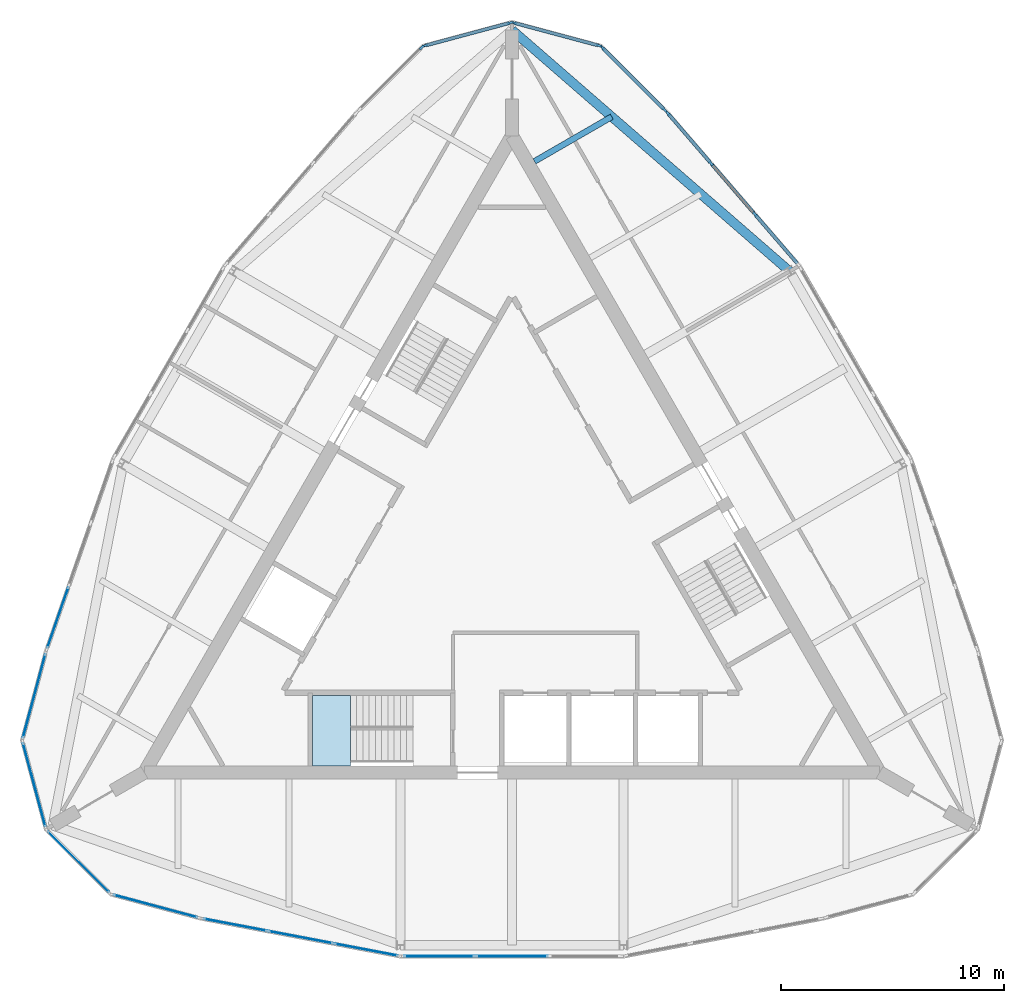
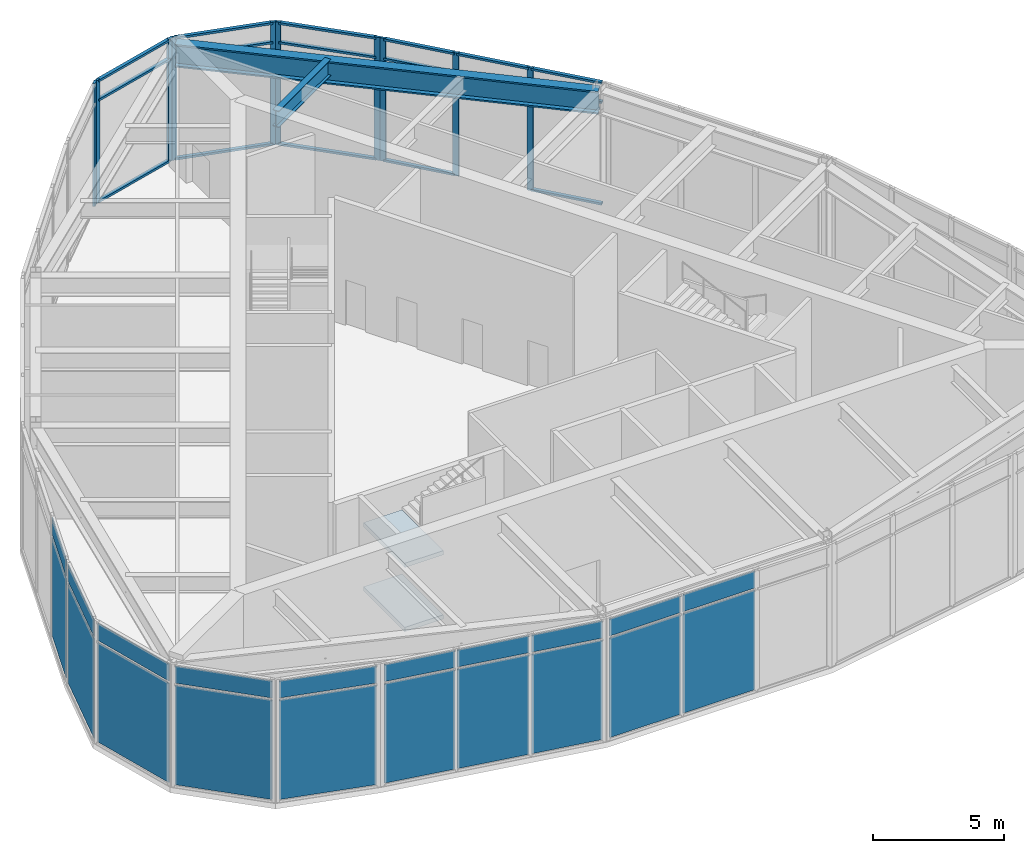
# One storey, part 4 of 9: 26 members, 20 plates, 2 beams, 2 slabs, 13 elements without a shape of their own.
"""IFC4 building model written with IfcOpenShell, lengths in metres."""

import ifcopenshell
import ifcopenshell.guid

model = None  # the IFC model being written
_history = None  # IfcOwnerHistory: only IFC2X3 demands one
_inside = {}  # id of a spatial element -> (the spatial element, [elements in it])
_under = {}  # id of a project, library or spatial element -> (it, [spatial elements below it])
_declared = {}  # id of a project -> (the project, [libraries it declares])
_typed = {}  # id of a type object -> (the type object, [elements of that type])
_made_of = {}  # id of a material, layer set ... -> (it, [elements and type objects made of it])


def new_model(schema):
    """Start an empty IFC model of exactly this schema.

    Asked for "IFC4X3", IfcOpenShell would pick the latest addendum, in which some entities
    have other attributes; the version numbers below select the first issue.
    IFC2X3 requires an IfcOwnerHistory on every rooted entity: one is made here for all.
    """
    global model, _history
    if schema == "IFC4X3":
        model = ifcopenshell.file(schema_version=(4, 3, 0, 0))
    else:
        model = ifcopenshell.file(schema=schema)
    _inside.clear()
    _under.clear()
    _declared.clear()
    _typed.clear()
    _made_of.clear()
    _history = None
    if model.schema == "IFC2X3":
        org = make("IfcOrganization", Name="unknown")
        user = make(
            "IfcPersonAndOrganization",
            ThePerson=make("IfcPerson", FamilyName="unknown"),
            TheOrganization=org,
        )
        app = make(
            "IfcApplication",
            ApplicationDeveloper=org,
            Version="unknown",
            ApplicationFullName="unknown",
            ApplicationIdentifier="unknown",
        )
        _history = make(
            "IfcOwnerHistory",
            OwningUser=user,
            OwningApplication=app,
            ChangeAction="ADDED",
            CreationDate=0,
        )
    return model


def make(cls, **values):
    """One entity of the class cls with the attributes given. An attribute that is None is left unset."""
    return model.create_entity(
        cls, **{name: value for name, value in values.items() if value is not None}
    )


def rooted(cls, **values):
    """An entity with a GlobalId (a new one), such as an element, a storey or a relation."""
    return make(cls, GlobalId=ifcopenshell.guid.new(), OwnerHistory=_history, **values)


def si_unit(unit_type, name, prefix=None):
    """IfcSIUnit, for example si_unit("LENGTHUNIT", "METRE", prefix="MILLI")."""
    return make("IfcSIUnit", UnitType=unit_type, Prefix=prefix, Name=name)


def assignment(units):
    """IfcUnitAssignment: the units of a project."""
    return None if units is None else make("IfcUnitAssignment", Units=units)


def point(xyz):
    """IfcCartesianPoint."""
    return None if xyz is None else make("IfcCartesianPoint", Coordinates=xyz)


def direction(xyz):
    """IfcDirection."""
    return None if xyz is None else make("IfcDirection", DirectionRatios=xyz)


def frame(location, z_axis=None, x_axis=None):
    """IfcAxis2Placement3D, a coordinate frame: its origin and axes. An axis left out is left unset."""
    return make(
        "IfcAxis2Placement3D",
        Location=point(location),
        Axis=direction(z_axis),
        RefDirection=direction(x_axis),
    )


def frame_2d(location, x_axis=None):
    """IfcAxis2Placement2D, a coordinate frame in the plane: its origin and x axis."""
    return make(
        "IfcAxis2Placement2D", Location=point(location), RefDirection=direction(x_axis)
    )


def origin():
    """The frame at (0, 0, 0) with its axes left unset."""
    return frame((0.0, 0.0, 0.0))


def origin_2d():
    """The frame at (0, 0) in the plane with its x axis left unset."""
    return frame_2d((0.0, 0.0))


def place(relative_to, where):
    """IfcLocalPlacement: puts the frame where relative to a parent placement (None: the world)."""
    return make(
        "IfcLocalPlacement", PlacementRelTo=relative_to, RelativePlacement=where
    )


def context(
    kind, dimensions, precision=None, world=None, true_north=None, identifier=None
):
    """IfcGeometricRepresentationContext, for example the 3D "Model" context."""
    return make(
        "IfcGeometricRepresentationContext",
        ContextIdentifier=identifier,
        ContextType=kind,
        CoordinateSpaceDimension=dimensions,
        Precision=precision,
        WorldCoordinateSystem=world,
        TrueNorth=true_north,
    )


def subcontext(parent, identifier, kind, view, scale=None):
    """IfcGeometricRepresentationSubContext, for example "Body" below "Model"."""
    return make(
        "IfcGeometricRepresentationSubContext",
        ContextIdentifier=identifier,
        ContextType=kind,
        ParentContext=parent,
        TargetScale=scale,
        TargetView=view,
    )


def project(units=None, contexts=None):
    """IfcProject with its units and contexts."""
    return rooted(
        "IfcProject",
        Name="project",
        RepresentationContexts=contexts,
        UnitsInContext=assignment(units),
    )


def spatial(cls, under=None, at=None, **own):
    """A site, building, storey or space (cls), placed at a placement, below another one or the project."""
    s = rooted(cls, ObjectPlacement=at, **own)
    if under is not None:
        _under.setdefault(under.id(), (under, []))[1].append(s)
    return s


def polyline(points):
    """IfcPolyline through the points."""
    return make("IfcPolyline", Points=[point(p) for p in points])


def profile(cls, at=None, kind="AREA", **sizes):
    """A parametric profile (cls). Its sizes go by their IFC names, for example OverallWidth=200.0."""
    return make(cls, ProfileType=kind, Position=at, **sizes)


def rectangle(**sizes):
    """IfcRectangleProfileDef."""
    return profile("IfcRectangleProfileDef", **sizes)


def i_section(**sizes):
    """IfcIShapeProfileDef."""
    return profile("IfcIShapeProfileDef", **sizes)


def outline(outer, holes=None, kind="AREA"):
    """IfcArbitraryClosedProfileDef: a profile drawn as a closed curve; with holes, ...WithVoids."""
    if holes is None:
        return make("IfcArbitraryClosedProfileDef", ProfileType=kind, OuterCurve=outer)
    return make(
        "IfcArbitraryProfileDefWithVoids",
        ProfileType=kind,
        OuterCurve=outer,
        InnerCurves=holes,
    )


def extrude(swept, where, along, depth):
    """IfcExtrudedAreaSolid: the profile swept, set in the frame where, extruded along a direction by depth."""
    return make(
        "IfcExtrudedAreaSolid",
        SweptArea=swept,
        Position=where,
        ExtrudedDirection=direction(along),
        Depth=depth,
    )


def shape(context_of_items, identifier, shape_type, items):
    """IfcShapeRepresentation: the items that make up one representation, for example the "Body"."""
    return make(
        "IfcShapeRepresentation",
        ContextOfItems=context_of_items,
        RepresentationIdentifier=identifier,
        RepresentationType=shape_type,
        Items=items,
    )


def material(Name=None, Category=None):
    """IfcMaterial."""
    return make("IfcMaterial", Name=Name, Category=Category)


def layer(
    of_material, thickness, ventilated=None, Name=None, Category=None, Priority=None
):
    """IfcMaterialLayer: one layer of a wall or slab, of a material (None: an air gap)."""
    return make(
        "IfcMaterialLayer",
        Material=of_material,
        LayerThickness=thickness,
        IsVentilated=ventilated,
        Name=Name,
        Category=Category,
        Priority=Priority,
    )


def layer_set(layers, Name=None):
    """IfcMaterialLayerSet."""
    return make("IfcMaterialLayerSet", MaterialLayers=layers, LayerSetName=Name)


def material_profile(
    of_material, cross_section, Name=None, Category=None, Priority=None
):
    """IfcMaterialProfile: a cross section and its material."""
    return make(
        "IfcMaterialProfile",
        Name=Name,
        Material=of_material,
        Profile=cross_section,
        Priority=Priority,
        Category=Category,
    )


def profile_set(profiles, Name=None, composite=None):
    """IfcMaterialProfileSet."""
    return make(
        "IfcMaterialProfileSet",
        Name=Name,
        MaterialProfiles=profiles,
        CompositeProfile=composite,
    )


def made_of(thing, what):
    """Note that an element or type object is made of a material, layer set ...; save() writes the relation."""
    if what is not None:
        _made_of.setdefault(what.id(), (what, []))[1].append(thing)
    return thing


def type_object(cls, material=None, **own):
    """A type object (cls), such as IfcWallType, which elements share."""
    return made_of(rooted(cls, **own), material)


def element(
    cls,
    number,
    at=None,
    inside=None,
    cuts=None,
    type_object=None,
    material=None,
    context=None,
    identifier="Body",
    shape_type=None,
    held_by="IfcProductDefinitionShape",
    body=None,
    shapes=None,
    **own,
):
    """One element of the class cls, such as IfcWall. Its Tag is "e" and its number.

    at: its placement. inside: the storey or other place that contains it. cuts: it is an
    opening in that element (IfcRelVoidsElement). A single representation is given by context,
    identifier, shape_type and body (its items); several are given by shapes. held_by: the class
    of the entity that holds the representations. save() writes the other relations.
    """
    e = rooted(cls, Tag="e%d" % number, ObjectPlacement=at, **own)
    if body is not None:
        shapes = [shape(context, identifier, shape_type, body)]
    if shapes is not None:
        e.Representation = make(held_by, Representations=shapes)
    if inside is not None:
        _inside.setdefault(inside.id(), (inside, []))[1].append(e)
    if cuts is not None:
        rooted(
            "IfcRelVoidsElement", RelatingBuildingElement=cuts, RelatedOpeningElement=e
        )
    if type_object is not None:
        _typed.setdefault(type_object.id(), (type_object, []))[1].append(e)
    return made_of(e, material)


def aggregate(whole, parts):
    """IfcRelAggregates: a whole, such as a stair, and the parts it consists of."""
    return rooted("IfcRelAggregates", RelatingObject=whole, RelatedObjects=parts)


def save(model, path):
    """Write the relations noted so far, then the file.

    IfcRelAggregates (storeys below a building ...), IfcRelContainedInSpatialStructure (elements
    in a storey), IfcRelDefinesByType, IfcRelAssociatesMaterial and IfcRelDeclares: one each for
    every whole, place, type object, material and project.
    """
    for whole, parts in _under.values():
        aggregate(whole, parts)
    for where, things in _inside.values():
        rooted(
            "IfcRelContainedInSpatialStructure",
            RelatedElements=things,
            RelatingStructure=where,
        )
    for kind, things in _typed.values():
        rooted("IfcRelDefinesByType", RelatedObjects=things, RelatingType=kind)
    for what, things in _made_of.values():
        rooted("IfcRelAssociatesMaterial", RelatedObjects=things, RelatingMaterial=what)
    for by, libraries in _declared.values():
        rooted("IfcRelDeclares", RelatingContext=by, RelatedDefinitions=libraries)
    model.write(path)


model = new_model("IFC4")

# Units and contexts
model_context = context("Model", 3, precision=1e-05, world=origin(), true_north=direction((0.0, 1.0)))
body_context = subcontext(model_context, "Body", "Model", "MODEL_VIEW")
ifc_project = project(units=[si_unit("LENGTHUNIT", "METRE"), si_unit("AREAUNIT", "SQUARE_METRE"), si_unit("VOLUMEUNIT", "CUBIC_METRE"), si_unit("PLANEANGLEUNIT", "RADIAN"), si_unit("MASSUNIT", "GRAM", prefix="KILO")], contexts=[model_context])

# Site, building, storey
site_placement = place(None, origin())
site = spatial("IfcSite", under=ifc_project, at=site_placement, CompositionType="ELEMENT")
building_placement = place(site_placement, origin())
building = spatial("IfcBuilding", under=site, at=building_placement, Name="Trikona Tower", CompositionType="ELEMENT")
storey_placement = place(building_placement, frame((0.0, 0.0, 286.800048828125)))
storey = spatial("IfcBuildingStorey", under=building, at=storey_placement, Name="L75", CompositionType="ELEMENT", Elevation=286.800048828125)

# Curtain wall, members
ifc_material_1 = material(Name="Aluminium curtain wall system", Category="aluminium")
curtain_wall_type = type_object("IfcCurtainWallType", Name="Curtain wall OB", PredefinedType="NOTDEFINED", material=ifc_material_1)
curtain_wall_1_placement = place(storey_placement, origin())
curtain_wall_1 = element("IfcCurtainWall", 1, at=curtain_wall_1_placement, inside=storey, type_object=curtain_wall_type, Name="Curtain wall OB L75", PredefinedType="NOTDEFINED")
ifc_material_2 = material(Name="Aluminium mullion, pale anodised", Category="aluminium")
ifc_material_profile_1 = material_profile(ifc_material_2, rectangle(XDim=0.10009765625, YDim=0.25, at=origin_2d()), Name="MUL-OB")
ifc_profile_set_1 = profile_set([ifc_material_profile_1], Name="Aluminium mullion, pale anodised")
member_type_1 = type_object("IfcMemberType", Name="Mullion OB 100x250", PredefinedType="MULLION", material=ifc_profile_set_1)
member_1_placement = place(storey_placement, frame((10.8984375, 15.531005859375, 0.0), z_axis=(0.0, 0.0, 1.0), x_axis=(-0.757475219973, -0.652863914707, 0.0)))
member_1 = element("IfcMember", 2, at=member_1_placement, type_object=member_type_1, Name="CW-OB mullion 2", PredefinedType="MULLION", context=body_context, shape_type="SweptSolid", body=[
    extrude(rectangle(XDim=0.10009765625, YDim=0.25, at=origin_2d()), origin(), (0.0, 0.0, 1.0), 5.75),
])
member_2_placement = place(storey_placement, frame((8.930908203125, 17.813720703125, 0.0), z_axis=(0.0, 0.0, 1.0), x_axis=(-0.757475219973, -0.652863914707, 0.0)))
member_2 = element("IfcMember", 3, at=member_2_placement, type_object=member_type_1, Name="CW-OB mullion 3", PredefinedType="MULLION", context=body_context, shape_type="SweptSolid", body=[
    extrude(rectangle(XDim=0.10009765625, YDim=0.25, at=origin_2d()), origin(), (0.0, 0.0, 1.0), 5.75),
])
member_3_placement = place(storey_placement, frame((6.99609375, 20.058837890625, 0.0), z_axis=(0.0, 0.0, 1.0), x_axis=(-0.757475219973, -0.652863914707, 0.0)))
member_3 = element("IfcMember", 4, at=member_3_placement, type_object=member_type_1, Name="CW-OB mullion 4", PredefinedType="MULLION", context=body_context, shape_type="SweptSolid", body=[
    extrude(rectangle(XDim=0.10009765625, YDim=0.25, at=origin_2d()), origin(), (0.0, 0.0, 1.0), 5.75),
])

curtain_wall_2_placement = place(storey_placement, origin())
curtain_wall_2 = element("IfcCurtainWall", 5, at=curtain_wall_2_placement, inside=storey, type_object=curtain_wall_type, Name="Curtain wall OB L75", PredefinedType="NOTDEFINED")
member_4_placement = place(storey_placement, frame((6.8515625, 20.21435546875, 0.0), z_axis=(0.0, 0.0, 1.0), x_axis=(-0.707106781187, -0.707106781187, 0.0)))
member_4 = element("IfcMember", 6, at=member_4_placement, type_object=member_type_1, Name="CW-OB mullion 1", PredefinedType="MULLION", context=body_context, shape_type="SweptSolid", body=[
    extrude(rectangle(XDim=0.10009765625, YDim=0.25, at=origin_2d()), origin(), (0.0, 0.0, 1.0), 5.75),
])
member_5_placement = place(storey_placement, frame((4.048583984375, 23.017333984375, 0.0), z_axis=(0.0, 0.0, 1.0), x_axis=(-0.707106781187, -0.707106781187, 0.0)))
member_5 = element("IfcMember", 7, at=member_5_placement, type_object=member_type_1, Name="CW-OB mullion 2", PredefinedType="MULLION", context=body_context, shape_type="SweptSolid", body=[
    extrude(rectangle(XDim=0.10009765625, YDim=0.25, at=origin_2d()), origin(), (0.0, 0.0, 1.0), 5.75),
])

curtain_wall_3_placement = place(storey_placement, origin())
curtain_wall_3 = element("IfcCurtainWall", 8, at=curtain_wall_3_placement, inside=storey, type_object=curtain_wall_type, Name="Curtain wall OB L75", PredefinedType="NOTDEFINED")
member_6_placement = place(storey_placement, frame((3.909423828125, 23.09765625, 0.0), z_axis=(0.0, 0.0, 1.0), x_axis=(-0.258827918204, -0.965923448705, 0.0)))
member_6 = element("IfcMember", 9, at=member_6_placement, type_object=member_type_1, Name="CW-OB mullion 1", PredefinedType="MULLION", context=body_context, shape_type="SweptSolid", body=[
    extrude(rectangle(XDim=0.10009765625, YDim=0.25, at=origin_2d()), origin(), (0.0, 0.0, 1.0), 5.75),
])
member_7_placement = place(storey_placement, frame((0.080322265625, 24.123779296875, 0.0), z_axis=(0.0, 0.0, 1.0), x_axis=(-0.258827918204, -0.965923448705, 0.0)))
member_7 = element("IfcMember", 10, at=member_7_placement, type_object=member_type_1, Name="CW-OB mullion 2", PredefinedType="MULLION", context=body_context, shape_type="SweptSolid", body=[
    extrude(rectangle(XDim=0.10009765625, YDim=0.25, at=origin_2d()), origin(), (0.0, 0.0, 1.0), 5.75),
])

curtain_wall_4_placement = place(storey_placement, origin())
curtain_wall_4 = element("IfcCurtainWall", 11, at=curtain_wall_4_placement, inside=storey, type_object=curtain_wall_type, Name="Curtain wall OB L75", PredefinedType="NOTDEFINED")
member_8_placement = place(storey_placement, frame((-0.080322265625, 24.123779296875, 0.0), z_axis=(0.0, 0.0, 1.0), x_axis=(0.258827918204, -0.965923448705, 0.0)))
member_8 = element("IfcMember", 12, at=member_8_placement, type_object=member_type_1, Name="CW-OB mullion 1", PredefinedType="MULLION", context=body_context, shape_type="SweptSolid", body=[
    extrude(rectangle(XDim=0.10009765625, YDim=0.25, at=origin_2d()), origin(), (0.0, 0.0, 1.0), 5.75),
])
member_9_placement = place(storey_placement, frame((-3.909423828125, 23.09765625, 0.0), z_axis=(0.0, 0.0, 1.0), x_axis=(0.258827918204, -0.965923448705, 0.0)))
member_9 = element("IfcMember", 13, at=member_9_placement, type_object=member_type_1, Name="CW-OB mullion 2", PredefinedType="MULLION", context=body_context, shape_type="SweptSolid", body=[
    extrude(rectangle(XDim=0.10009765625, YDim=0.25, at=origin_2d()), origin(), (0.0, 0.0, 1.0), 5.75),
])

# Curtain wall, member
curtain_wall_5_placement = place(storey_placement, origin())
curtain_wall_5 = element("IfcCurtainWall", 14, at=curtain_wall_5_placement, inside=storey, type_object=curtain_wall_type, Name="Curtain wall OB L75", PredefinedType="NOTDEFINED")
member_10_placement = place(storey_placement, frame((-4.048583984375, 23.017333984375, 0.0), z_axis=(0.0, 0.0, 1.0), x_axis=(0.707106781187, -0.707106781187, 0.0)))
member_10 = element("IfcMember", 15, at=member_10_placement, type_object=member_type_1, Name="CW-OB mullion 1", PredefinedType="MULLION", context=body_context, shape_type="SweptSolid", body=[
    extrude(rectangle(XDim=0.10009765625, YDim=0.25, at=origin_2d()), origin(), (0.0, 0.0, 1.0), 5.75),
])
aggregate(curtain_wall_5, [member_10])

# Beams
ifc_material_3 = material(Name="Steel ASTM A992 Grade 50", Category="steel")
ifc_material_profile_2 = material_profile(ifc_material_3, i_section(OverallWidth=0.2666015625, OverallDepth=0.76953125, WebThickness=0.015625, FlangeThickness=0.025390625, at=origin_2d()), Name="W30X132")
ifc_profile_set_2 = profile_set([ifc_material_profile_2], Name="Steel ASTM A992 Grade 50")
beam_type_1 = type_object("IfcBeamType", Name="Steel beam W30x132 (wedge)", PredefinedType="BEAM", material=ifc_profile_set_2)
beam_1_placement = place(storey_placement, frame((1.009765625, 17.903564453125, 5.365234375), z_axis=(0.866025209122, 0.500000337164, 0.0), x_axis=(-0.500000337164, 0.866025209122, 0.0)))
element("IfcBeam", 16, at=beam_1_placement, inside=storey, type_object=beam_type_1, Name="Floor beam L76 F2 u15", PredefinedType="BEAM", context=body_context, shape_type="SweptSolid", body=[
    extrude(i_section(OverallWidth=0.2666015625, OverallDepth=0.76953125, WebThickness=0.015625, FlangeThickness=0.025390625, at=origin_2d()), origin(), (0.0, 0.0, 1.0), 4.00537109375),
])
ifc_material_4 = material(Name="Steel ASTM A992 Grade 50", Category="steel")
ifc_material_profile_3 = material_profile(ifc_material_4, i_section(OverallWidth=0.41650390625, OverallDepth=1.0693359375, WebThickness=0.0390625, FlangeThickness=0.070068359375, at=origin_2d()), Name="W40X503")
ifc_profile_set_3 = profile_set([ifc_material_profile_3], Name="Steel ASTM A992 Grade 50")
beam_type_2 = type_object("IfcBeamType", Name="Steel beam W40x503 (crown spandrel)", PredefinedType="SPANDREL", material=ifc_profile_set_3)
beam_2_placement = place(storey_placement, frame((12.461181640625, 12.968017578125, 5.21533203125), z_axis=(-0.754762765652, 0.655997841144, 0.0), x_axis=(-0.655997841144, -0.754762765652, 0.0)))
element("IfcBeam", 17, at=beam_2_placement, inside=storey, type_object=beam_type_2, Name="Spandrel beam L76 F2-3", PredefinedType="SPANDREL", context=body_context, shape_type="SweptSolid", body=[
    extrude(i_section(OverallWidth=0.41650390625, OverallDepth=1.0693359375, WebThickness=0.0390625, FlangeThickness=0.070068359375, at=origin_2d()), origin(), (0.0, 0.0, 1.0), 16.510009765625),
])

# Member
ifc_material_5 = material(Name="Aluminium transom, pale anodised", Category="aluminium")
ifc_material_profile_4 = material_profile(ifc_material_5, rectangle(XDim=0.14990234375, YDim=0.10009765625, at=origin_2d()), Name="TRN-OB")
ifc_profile_set_4 = profile_set([ifc_material_profile_4], Name="Aluminium transom, pale anodised")
member_type_2 = type_object("IfcMemberType", Name="Transom OB 100x150", PredefinedType="USERDEFINED", material=ifc_profile_set_4)
member_11_placement = place(storey_placement, frame((12.80078125, 13.323974609375, 0.050048828125), z_axis=(-0.65286710173, 0.757472473083, 0.0), x_axis=(-0.757472473083, -0.65286710173, 0.0)))
member_11 = element("IfcMember", 18, at=member_11_placement, type_object=member_type_2, Name="CW-OB transom 1.1", ObjectType="TRANSOM", PredefinedType="USERDEFINED", context=body_context, shape_type="SweptSolid", body=[
    extrude(rectangle(XDim=0.14990234375, YDim=0.10009765625, at=origin_2d()), origin(), (0.0, 0.0, 1.0), 2.86376953125),
])

member_12_placement = place(storey_placement, frame((12.80078125, 13.323974609375, 4.800048828125), z_axis=(-0.65286710173, 0.757472473083, 0.0), x_axis=(-0.757472473083, -0.65286710173, 0.0)))
member_12 = element("IfcMember", 19, at=member_12_placement, type_object=member_type_2, Name="CW-OB transom 1.2", ObjectType="TRANSOM", PredefinedType="USERDEFINED", context=body_context, shape_type="SweptSolid", body=[
    extrude(rectangle(XDim=0.14990234375, YDim=0.10009765625, at=origin_2d()), origin(), (0.0, 0.0, 1.0), 2.86376953125),
])

member_13_placement = place(storey_placement, frame((12.80078125, 13.323974609375, 5.699951171875), z_axis=(-0.65286710173, 0.757472473083, 0.0), x_axis=(-0.757472473083, -0.65286710173, 0.0)))
member_13 = element("IfcMember", 20, at=member_13_placement, type_object=member_type_2, Name="CW-OB transom 1.3", ObjectType="TRANSOM", PredefinedType="USERDEFINED", context=body_context, shape_type="SweptSolid", body=[
    extrude(rectangle(XDim=0.14990234375, YDim=0.10009765625, at=origin_2d()), origin(), (0.0, 0.0, 1.0), 2.86376953125),
])

member_14_placement = place(storey_placement, frame((10.86572265625, 15.56884765625, 5.699951171875), z_axis=(-0.652838503386, 0.757497121115, 0.0), x_axis=(-0.757497121115, -0.652838503386, 0.0)))
member_14 = element("IfcMember", 21, at=member_14_placement, type_object=member_type_2, Name="CW-OB transom 2.3", ObjectType="TRANSOM", PredefinedType="USERDEFINED", context=body_context, shape_type="SweptSolid", body=[
    extrude(rectangle(XDim=0.14990234375, YDim=0.10009765625, at=origin_2d()), origin(), (0.0, 0.0, 1.0), 2.91357421875),
])

member_15_placement = place(storey_placement, frame((8.898193359375, 17.8515625, 0.050048828125), z_axis=(-0.65286710173, 0.757472473083, 0.0), x_axis=(-0.757472473083, -0.65286710173, 0.0)))
member_15 = element("IfcMember", 22, at=member_15_placement, type_object=member_type_2, Name="CW-OB transom 3.1", ObjectType="TRANSOM", PredefinedType="USERDEFINED", context=body_context, shape_type="SweptSolid", body=[
    extrude(rectangle(XDim=0.14990234375, YDim=0.10009765625, at=origin_2d()), origin(), (0.0, 0.0, 1.0), 2.86376953125),
])

member_16_placement = place(storey_placement, frame((8.898193359375, 17.8515625, 4.800048828125), z_axis=(-0.65286710173, 0.757472473083, 0.0), x_axis=(-0.757472473083, -0.65286710173, 0.0)))
member_16 = element("IfcMember", 23, at=member_16_placement, type_object=member_type_2, Name="CW-OB transom 3.2", ObjectType="TRANSOM", PredefinedType="USERDEFINED", context=body_context, shape_type="SweptSolid", body=[
    extrude(rectangle(XDim=0.14990234375, YDim=0.10009765625, at=origin_2d()), origin(), (0.0, 0.0, 1.0), 2.86376953125),
])

member_17_placement = place(storey_placement, frame((8.898193359375, 17.8515625, 5.699951171875), z_axis=(-0.65286710173, 0.757472473083, 0.0), x_axis=(-0.757472473083, -0.65286710173, 0.0)))
member_17 = element("IfcMember", 24, at=member_17_placement, type_object=member_type_2, Name="CW-OB transom 3.3", ObjectType="TRANSOM", PredefinedType="USERDEFINED", context=body_context, shape_type="SweptSolid", body=[
    extrude(rectangle(XDim=0.14990234375, YDim=0.10009765625, at=origin_2d()), origin(), (0.0, 0.0, 1.0), 2.86376953125),
])

aggregate(curtain_wall_1, [member_1, member_2, member_3, member_11, member_12, member_13, member_14, member_15, member_16, member_17])

member_18_placement = place(storey_placement, frame((6.816162109375, 20.249755859375, 0.050048828125), z_axis=(-0.707106781187, 0.707106781187, 0.0), x_axis=(-0.707106781187, -0.707106781187, 0.0)))
member_18 = element("IfcMember", 25, at=member_18_placement, type_object=member_type_2, Name="CW-OB transom 1.1", ObjectType="TRANSOM", PredefinedType="USERDEFINED", context=body_context, shape_type="SweptSolid", body=[
    extrude(rectangle(XDim=0.14990234375, YDim=0.10009765625, at=origin_2d()), origin(), (0.0, 0.0, 1.0), 3.86376953125),
])

member_19_placement = place(storey_placement, frame((6.816162109375, 20.249755859375, 4.800048828125), z_axis=(-0.707106781187, 0.707106781187, 0.0), x_axis=(-0.707106781187, -0.707106781187, 0.0)))
member_19 = element("IfcMember", 26, at=member_19_placement, type_object=member_type_2, Name="CW-OB transom 1.2", ObjectType="TRANSOM", PredefinedType="USERDEFINED", context=body_context, shape_type="SweptSolid", body=[
    extrude(rectangle(XDim=0.14990234375, YDim=0.10009765625, at=origin_2d()), origin(), (0.0, 0.0, 1.0), 3.86376953125),
])

member_20_placement = place(storey_placement, frame((6.816162109375, 20.249755859375, 5.699951171875), z_axis=(-0.707106781187, 0.707106781187, 0.0), x_axis=(-0.707106781187, -0.707106781187, 0.0)))
member_20 = element("IfcMember", 27, at=member_20_placement, type_object=member_type_2, Name="CW-OB transom 1.3", ObjectType="TRANSOM", PredefinedType="USERDEFINED", context=body_context, shape_type="SweptSolid", body=[
    extrude(rectangle(XDim=0.14990234375, YDim=0.10009765625, at=origin_2d()), origin(), (0.0, 0.0, 1.0), 3.86376953125),
])

aggregate(curtain_wall_2, [member_4, member_5, member_18, member_19, member_20])

member_21_placement = place(storey_placement, frame((3.861083984375, 23.110595703125, 0.050048828125), z_axis=(-0.965932258808, 0.25879503742, 0.0), x_axis=(-0.25879503742, -0.965932258808, 0.0)))
member_21 = element("IfcMember", 28, at=member_21_placement, type_object=member_type_2, Name="CW-OB transom 1.1", ObjectType="TRANSOM", PredefinedType="USERDEFINED", context=body_context, shape_type="SweptSolid", body=[
    extrude(rectangle(XDim=0.14990234375, YDim=0.10009765625, at=origin_2d()), origin(), (0.0, 0.0, 1.0), 3.864013671875),
])

member_22_placement = place(storey_placement, frame((3.861083984375, 23.110595703125, 4.800048828125), z_axis=(-0.965932258808, 0.25879503742, 0.0), x_axis=(-0.25879503742, -0.965932258808, 0.0)))
member_22 = element("IfcMember", 29, at=member_22_placement, type_object=member_type_2, Name="CW-OB transom 1.2", ObjectType="TRANSOM", PredefinedType="USERDEFINED", context=body_context, shape_type="SweptSolid", body=[
    extrude(rectangle(XDim=0.14990234375, YDim=0.10009765625, at=origin_2d()), origin(), (0.0, 0.0, 1.0), 3.864013671875),
])

member_23_placement = place(storey_placement, frame((3.861083984375, 23.110595703125, 5.699951171875), z_axis=(-0.965932258808, 0.25879503742, 0.0), x_axis=(-0.25879503742, -0.965932258808, 0.0)))
member_23 = element("IfcMember", 30, at=member_23_placement, type_object=member_type_2, Name="CW-OB transom 1.3", ObjectType="TRANSOM", PredefinedType="USERDEFINED", context=body_context, shape_type="SweptSolid", body=[
    extrude(rectangle(XDim=0.14990234375, YDim=0.10009765625, at=origin_2d()), origin(), (0.0, 0.0, 1.0), 3.864013671875),
])

aggregate(curtain_wall_3, [member_6, member_7, member_21, member_22, member_23])

member_24_placement = place(storey_placement, frame((-0.128662109375, 24.110595703125, 0.050048828125), z_axis=(-0.965932258808, -0.25879503742, 0.0), x_axis=(0.25879503742, -0.965932258808, 0.0)))
member_24 = element("IfcMember", 31, at=member_24_placement, type_object=member_type_2, Name="CW-OB transom 1.1", ObjectType="TRANSOM", PredefinedType="USERDEFINED", context=body_context, shape_type="SweptSolid", body=[
    extrude(rectangle(XDim=0.14990234375, YDim=0.10009765625, at=origin_2d()), origin(), (0.0, 0.0, 1.0), 3.864013671875),
])

member_25_placement = place(storey_placement, frame((-0.128662109375, 24.110595703125, 4.800048828125), z_axis=(-0.965932258808, -0.25879503742, 0.0), x_axis=(0.25879503742, -0.965932258808, 0.0)))
member_25 = element("IfcMember", 32, at=member_25_placement, type_object=member_type_2, Name="CW-OB transom 1.2", ObjectType="TRANSOM", PredefinedType="USERDEFINED", context=body_context, shape_type="SweptSolid", body=[
    extrude(rectangle(XDim=0.14990234375, YDim=0.10009765625, at=origin_2d()), origin(), (0.0, 0.0, 1.0), 3.864013671875),
])

member_26_placement = place(storey_placement, frame((-0.128662109375, 24.110595703125, 5.699951171875), z_axis=(-0.965932258808, -0.25879503742, 0.0), x_axis=(0.25879503742, -0.965932258808, 0.0)))
member_26 = element("IfcMember", 33, at=member_26_placement, type_object=member_type_2, Name="CW-OB transom 1.3", ObjectType="TRANSOM", PredefinedType="USERDEFINED", context=body_context, shape_type="SweptSolid", body=[
    extrude(rectangle(XDim=0.14990234375, YDim=0.10009765625, at=origin_2d()), origin(), (0.0, 0.0, 1.0), 3.864013671875),
])

aggregate(curtain_wall_4, [member_8, member_9, member_24, member_25, member_26])

# Curtain wall, plates
curtain_wall_6_placement = place(storey_placement, origin())
curtain_wall_6 = element("IfcCurtainWall", 34, at=curtain_wall_6_placement, inside=storey, type_object=curtain_wall_type, Name="Curtain wall OB L75", PredefinedType="NOTDEFINED")
ifc_material_6 = material(Name="Clear insulating glass unit", Category="glass")
ifc_layer_1 = layer(ifc_material_6, 0.028076171875)
ifc_layer_set_1 = layer_set([ifc_layer_1], Name="Glass panel OB")
plate_type = type_object("IfcPlateType", Name="Glass panel OB", PredefinedType="CURTAIN_PANEL", material=ifc_layer_set_1)
plate_1_placement = place(storey_placement, frame((-12.41748046875, -16.36474609375, 0.10009765625), z_axis=(0.0, 0.0, 1.0), x_axis=(0.982424431419, -0.186660752571, 0.0)))
plate_1 = element("IfcPlate", 35, at=plate_1_placement, type_object=plate_type, Name="CW-OB panel 1.1", PredefinedType="CURTAIN_PANEL", context=body_context, shape_type="SweptSolid", body=[
    extrude(rectangle(XDim=2.86376953125, YDim=0.028076171875, at=origin_2d()), origin(), (0.0, 0.0, 1.0), 4.64990234375),
])
plate_2_placement = place(storey_placement, frame((-12.41748046875, -16.36474609375, 4.85009765625), z_axis=(0.0, 0.0, 1.0), x_axis=(0.982424431419, -0.186660752571, 0.0)))
plate_2 = element("IfcPlate", 36, at=plate_2_placement, type_object=plate_type, Name="CW-OB panel 1.2", PredefinedType="CURTAIN_PANEL", context=body_context, shape_type="SweptSolid", body=[
    extrude(rectangle(XDim=2.86376953125, YDim=0.028076171875, at=origin_2d()), origin(), (0.0, 0.0, 1.0), 0.800048828125),
])
plate_3_placement = place(storey_placement, frame((-9.4814453125, -16.922607421875, 0.10009765625), z_axis=(0.0, 0.0, 1.0), x_axis=(0.982424431419, -0.186660752571, 0.0)))
plate_3 = element("IfcPlate", 37, at=plate_3_placement, type_object=plate_type, Name="CW-OB panel 2.1", PredefinedType="CURTAIN_PANEL", context=body_context, shape_type="SweptSolid", body=[
    extrude(rectangle(XDim=2.91357421875, YDim=0.028076171875, at=origin_2d()), origin(), (0.0, 0.0, 1.0), 4.64990234375),
])
plate_4_placement = place(storey_placement, frame((-9.4814453125, -16.922607421875, 4.85009765625), z_axis=(0.0, 0.0, 1.0), x_axis=(0.982424431419, -0.186660752571, 0.0)))
plate_4 = element("IfcPlate", 38, at=plate_4_placement, type_object=plate_type, Name="CW-OB panel 2.2", PredefinedType="CURTAIN_PANEL", context=body_context, shape_type="SweptSolid", body=[
    extrude(rectangle(XDim=2.91357421875, YDim=0.028076171875, at=origin_2d()), origin(), (0.0, 0.0, 1.0), 0.800048828125),
])
plate_5_placement = place(storey_placement, frame((-6.545166015625, -17.48046875, 0.10009765625), z_axis=(0.0, 0.0, 1.0), x_axis=(0.982424431419, -0.186660752571, 0.0)))
plate_5 = element("IfcPlate", 39, at=plate_5_placement, type_object=plate_type, Name="CW-OB panel 3.1", PredefinedType="CURTAIN_PANEL", context=body_context, shape_type="SweptSolid", body=[
    extrude(rectangle(XDim=2.86376953125, YDim=0.028076171875, at=origin_2d()), origin(), (0.0, 0.0, 1.0), 4.64990234375),
])
plate_6_placement = place(storey_placement, frame((-6.545166015625, -17.48046875, 4.85009765625), z_axis=(0.0, 0.0, 1.0), x_axis=(0.982424431419, -0.186660752571, 0.0)))
plate_6 = element("IfcPlate", 40, at=plate_6_placement, type_object=plate_type, Name="CW-OB panel 3.2", PredefinedType="CURTAIN_PANEL", context=body_context, shape_type="SweptSolid", body=[
    extrude(rectangle(XDim=2.86376953125, YDim=0.028076171875, at=origin_2d()), origin(), (0.0, 0.0, 1.0), 0.800048828125),
])
aggregate(curtain_wall_6, [plate_1, plate_2, plate_3, plate_4, plate_5, plate_6])

curtain_wall_7_placement = place(storey_placement, origin())
curtain_wall_7 = element("IfcCurtainWall", 41, at=curtain_wall_7_placement, inside=storey, type_object=curtain_wall_type, Name="Curtain wall OB L75", PredefinedType="NOTDEFINED")
plate_7_placement = place(storey_placement, frame((-3.268310546875, -17.77587890625, 0.10009765625), z_axis=(0.0, 0.0, 1.0), x_axis=(1.0, 0.0, 0.0)))
plate_7 = element("IfcPlate", 42, at=plate_7_placement, type_object=plate_type, Name="CW-OB panel 1.1", PredefinedType="CURTAIN_PANEL", context=body_context, shape_type="SweptSolid", body=[
    extrude(rectangle(XDim=3.143310546875, YDim=0.028076171875, at=origin_2d()), origin(), (0.0, 0.0, 1.0), 4.64990234375),
])
plate_8_placement = place(storey_placement, frame((-3.268310546875, -17.77587890625, 4.85009765625), z_axis=(0.0, 0.0, 1.0), x_axis=(1.0, 0.0, 0.0)))
plate_8 = element("IfcPlate", 43, at=plate_8_placement, type_object=plate_type, Name="CW-OB panel 1.2", PredefinedType="CURTAIN_PANEL", context=body_context, shape_type="SweptSolid", body=[
    extrude(rectangle(XDim=3.143310546875, YDim=0.028076171875, at=origin_2d()), origin(), (0.0, 0.0, 1.0), 0.800048828125),
])
plate_9_placement = place(storey_placement, frame((0.0, -17.77587890625, 0.10009765625), z_axis=(0.0, 0.0, 1.0), x_axis=(1.0, 0.0, 0.0)))
plate_9 = element("IfcPlate", 44, at=plate_9_placement, type_object=plate_type, Name="CW-OB panel 2.1", PredefinedType="CURTAIN_PANEL", context=body_context, shape_type="SweptSolid", body=[
    extrude(rectangle(XDim=3.193359375, YDim=0.028076171875, at=origin_2d()), origin(), (0.0, 0.0, 1.0), 4.64990234375),
])
plate_10_placement = place(storey_placement, frame((0.0, -17.77587890625, 4.85009765625), z_axis=(0.0, 0.0, 1.0), x_axis=(1.0, 0.0, 0.0)))
plate_10 = element("IfcPlate", 45, at=plate_10_placement, type_object=plate_type, Name="CW-OB panel 2.2", PredefinedType="CURTAIN_PANEL", context=body_context, shape_type="SweptSolid", body=[
    extrude(rectangle(XDim=3.193359375, YDim=0.028076171875, at=origin_2d()), origin(), (0.0, 0.0, 1.0), 0.800048828125),
])
aggregate(curtain_wall_7, [plate_7, plate_8, plate_9, plate_10])

curtain_wall_8_placement = place(storey_placement, origin())
curtain_wall_8 = element("IfcCurtainWall", 46, at=curtain_wall_8_placement, inside=storey, type_object=curtain_wall_type, Name="Curtain wall OB L75", PredefinedType="NOTDEFINED")
plate_11_placement = place(storey_placement, frame((-20.380859375, -2.571533203125, 0.10009765625), z_axis=(0.0, 0.0, 1.0), x_axis=(-0.329552165935, -0.944137368145, 0.0)))
plate_11 = element("IfcPlate", 47, at=plate_11_placement, type_object=plate_type, Name="CW-OB panel 3.1", PredefinedType="CURTAIN_PANEL", context=body_context, shape_type="SweptSolid", body=[
    extrude(rectangle(XDim=2.86376953125, YDim=0.028076171875, at=origin_2d()), origin(), (0.0, 0.0, 1.0), 4.64990234375),
])
plate_12_placement = place(storey_placement, frame((-20.380859375, -2.571533203125, 4.85009765625), z_axis=(0.0, 0.0, 1.0), x_axis=(-0.329552165935, -0.944137368145, 0.0)))
plate_12 = element("IfcPlate", 48, at=plate_12_placement, type_object=plate_type, Name="CW-OB panel 3.2", PredefinedType="CURTAIN_PANEL", context=body_context, shape_type="SweptSolid", body=[
    extrude(rectangle(XDim=2.86376953125, YDim=0.028076171875, at=origin_2d()), origin(), (0.0, 0.0, 1.0), 0.800048828125),
])
aggregate(curtain_wall_8, [plate_11, plate_12])

curtain_wall_9_placement = place(storey_placement, origin())
curtain_wall_9 = element("IfcCurtainWall", 49, at=curtain_wall_9_placement, inside=storey, type_object=curtain_wall_type, Name="Curtain wall OB L75", PredefinedType="NOTDEFINED")
plate_13_placement = place(storey_placement, frame((-21.44482421875, -6.088134765625, 0.10009765625), z_axis=(0.0, 0.0, 1.0), x_axis=(-0.258834069983, -0.965921800259, 0.0)))
plate_13 = element("IfcPlate", 50, at=plate_13_placement, type_object=plate_type, Name="CW-OB panel 1.1", PredefinedType="CURTAIN_PANEL", context=body_context, shape_type="SweptSolid", body=[
    extrude(rectangle(XDim=3.864013671875, YDim=0.028076171875, at=origin_2d()), origin(), (0.0, 0.0, 1.0), 4.64990234375),
])
plate_14_placement = place(storey_placement, frame((-21.44482421875, -6.088134765625, 4.85009765625), z_axis=(0.0, 0.0, 1.0), x_axis=(-0.258834069983, -0.965921800259, 0.0)))
plate_14 = element("IfcPlate", 51, at=plate_14_placement, type_object=plate_type, Name="CW-OB panel 1.2", PredefinedType="CURTAIN_PANEL", context=body_context, shape_type="SweptSolid", body=[
    extrude(rectangle(XDim=3.864013671875, YDim=0.028076171875, at=origin_2d()), origin(), (0.0, 0.0, 1.0), 0.800048828125),
])
aggregate(curtain_wall_9, [plate_13, plate_14])

curtain_wall_10_placement = place(storey_placement, origin())
curtain_wall_10 = element("IfcCurtainWall", 52, at=curtain_wall_10_placement, inside=storey, type_object=curtain_wall_type, Name="Curtain wall OB L75", PredefinedType="NOTDEFINED")
plate_15_placement = place(storey_placement, frame((-21.44482421875, -10.077880859375, 0.10009765625), z_axis=(0.0, 0.0, 1.0), x_axis=(0.258827918204, -0.965923448705, 0.0)))
plate_15 = element("IfcPlate", 53, at=plate_15_placement, type_object=plate_type, Name="CW-OB panel 1.1", PredefinedType="CURTAIN_PANEL", context=body_context, shape_type="SweptSolid", body=[
    extrude(rectangle(XDim=3.864013671875, YDim=0.028076171875, at=origin_2d()), origin(), (0.0, 0.0, 1.0), 4.64990234375),
])
plate_16_placement = place(storey_placement, frame((-21.44482421875, -10.077880859375, 4.85009765625), z_axis=(0.0, 0.0, 1.0), x_axis=(0.258827918204, -0.965923448705, 0.0)))
plate_16 = element("IfcPlate", 54, at=plate_16_placement, type_object=plate_type, Name="CW-OB panel 1.2", PredefinedType="CURTAIN_PANEL", context=body_context, shape_type="SweptSolid", body=[
    extrude(rectangle(XDim=3.864013671875, YDim=0.028076171875, at=origin_2d()), origin(), (0.0, 0.0, 1.0), 0.800048828125),
])
aggregate(curtain_wall_10, [plate_15, plate_16])

curtain_wall_11_placement = place(storey_placement, origin())
curtain_wall_11 = element("IfcCurtainWall", 55, at=curtain_wall_11_placement, inside=storey, type_object=curtain_wall_type, Name="Curtain wall OB L75", PredefinedType="NOTDEFINED")
plate_17_placement = place(storey_placement, frame((-19.449951171875, -13.532958984375, 0.10009765625), z_axis=(0.0, 0.0, 1.0), x_axis=(0.707106781187, -0.707106781187, 0.0)))
plate_17 = element("IfcPlate", 56, at=plate_17_placement, type_object=plate_type, Name="CW-OB panel 1.1", PredefinedType="CURTAIN_PANEL", context=body_context, shape_type="SweptSolid", body=[
    extrude(rectangle(XDim=3.864013671875, YDim=0.028076171875, at=origin_2d()), origin(), (0.0, 0.0, 1.0), 4.64990234375),
])
plate_18_placement = place(storey_placement, frame((-19.449951171875, -13.532958984375, 4.85009765625), z_axis=(0.0, 0.0, 1.0), x_axis=(0.707106781187, -0.707106781187, 0.0)))
plate_18 = element("IfcPlate", 57, at=plate_18_placement, type_object=plate_type, Name="CW-OB panel 1.2", PredefinedType="CURTAIN_PANEL", context=body_context, shape_type="SweptSolid", body=[
    extrude(rectangle(XDim=3.864013671875, YDim=0.028076171875, at=origin_2d()), origin(), (0.0, 0.0, 1.0), 0.800048828125),
])
aggregate(curtain_wall_11, [plate_17, plate_18])

curtain_wall_12_placement = place(storey_placement, origin())
curtain_wall_12 = element("IfcCurtainWall", 58, at=curtain_wall_12_placement, inside=storey, type_object=curtain_wall_type, Name="Curtain wall OB L75", PredefinedType="NOTDEFINED")
plate_19_placement = place(storey_placement, frame((-15.994873046875, -15.52783203125, 0.10009765625), z_axis=(0.0, 0.0, 1.0), x_axis=(0.965923448705, -0.258827918204, 0.0)))
plate_19 = element("IfcPlate", 59, at=plate_19_placement, type_object=plate_type, Name="CW-OB panel 1.1", PredefinedType="CURTAIN_PANEL", context=body_context, shape_type="SweptSolid", body=[
    extrude(rectangle(XDim=3.864013671875, YDim=0.028076171875, at=origin_2d()), origin(), (0.0, 0.0, 1.0), 4.64990234375),
])
plate_20_placement = place(storey_placement, frame((-15.994873046875, -15.52783203125, 4.85009765625), z_axis=(0.0, 0.0, 1.0), x_axis=(0.965923448705, -0.258827918204, 0.0)))
plate_20 = element("IfcPlate", 60, at=plate_20_placement, type_object=plate_type, Name="CW-OB panel 1.2", PredefinedType="CURTAIN_PANEL", context=body_context, shape_type="SweptSolid", body=[
    extrude(rectangle(XDim=3.864013671875, YDim=0.028076171875, at=origin_2d()), origin(), (0.0, 0.0, 1.0), 0.800048828125),
])
aggregate(curtain_wall_12, [plate_19, plate_20])

# Stair, slabs
ifc_material_7 = material(Name="Concrete f'c 5000 psi", Category="concrete")
stair_type = type_object("IfcStairType", Name="Core stair", PredefinedType="HALF_TURN_STAIR", material=ifc_material_7)
stair_placement = place(storey_placement, origin())
stair = element("IfcStair", 61, at=stair_placement, inside=storey, type_object=stair_type, Name="Stair A L75", PredefinedType="HALF_TURN_STAIR")
ifc_material_8 = material(Name="Concrete f'c 5000 psi", Category="concrete")
ifc_layer_2 = layer(ifc_material_8, 0.199951171875)
ifc_layer_set_2 = layer_set([ifc_layer_2], Name="Stair landing 200")
slab_type = type_object("IfcSlabType", Name="Stair landing 200", PredefinedType="LANDING", material=ifc_layer_set_2)
slab_1_placement = place(storey_placement, frame((0.0, 0.0, 1.300048828125)))
slab_1 = element("IfcSlab", 62, at=slab_1_placement, type_object=slab_type, Name="ST-A landing 2", PredefinedType="LANDING", context=body_context, shape_type="SweptSolid", body=[
    extrude(outline(polyline([(-8.949951171875, -6.076416015625), (-7.2470703125, -6.076416015625), (-7.2470703125, -9.226318359375), (-8.949951171875, -9.226318359375), (-8.949951171875, -6.076416015625)])), origin(), (0.0, 0.0, 1.0), 0.199951171875),
])
slab_2_placement = place(storey_placement, frame((0.0, 0.0, 4.300048828125)))
slab_2 = element("IfcSlab", 63, at=slab_2_placement, type_object=slab_type, Name="ST-A landing 4", PredefinedType="LANDING", context=body_context, shape_type="SweptSolid", body=[
    extrude(outline(polyline([(-8.949951171875, -6.076416015625), (-7.2470703125, -6.076416015625), (-7.2470703125, -9.226318359375), (-8.949951171875, -9.226318359375), (-8.949951171875, -6.076416015625)])), origin(), (0.0, 0.0, 1.0), 0.199951171875),
])
aggregate(stair, [slab_1, slab_2])

save(model, "model.ifc")
